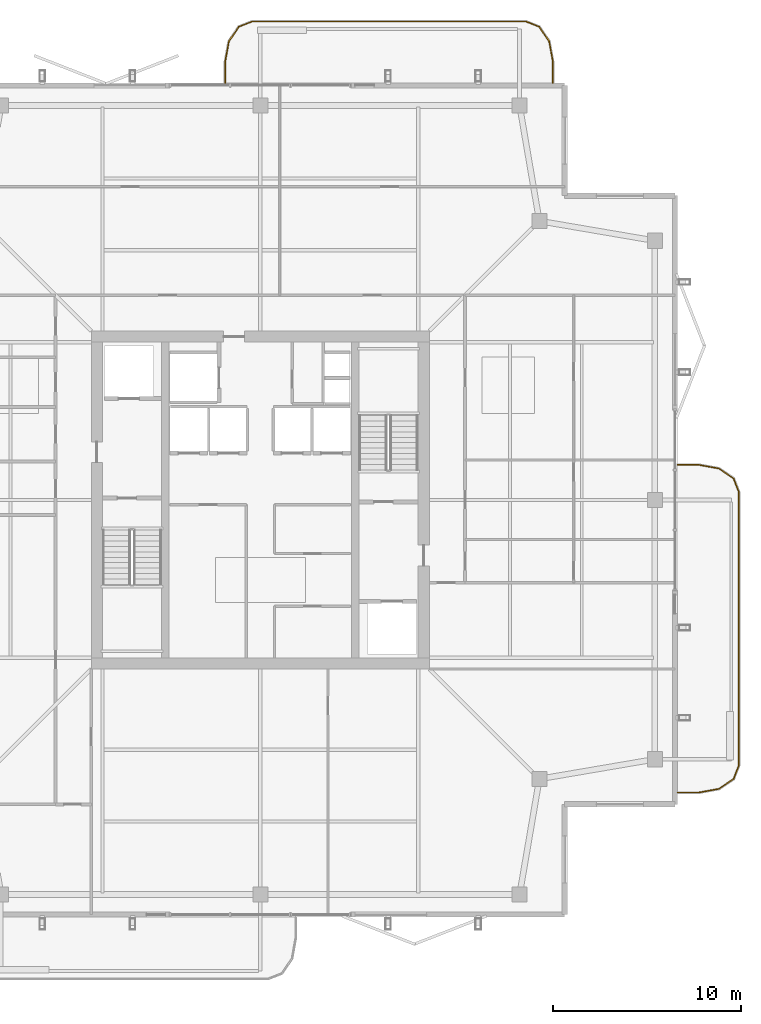
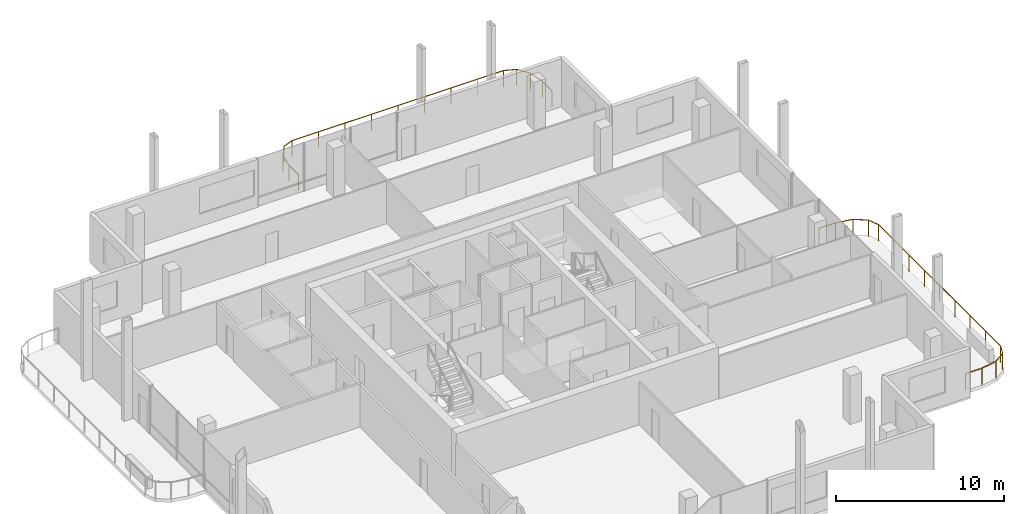
# One storey, part 22 of 22: 2 railings.
"""IFC4 building model written with IfcOpenShell, lengths in metres."""

from ifc_helpers import new_model, si_unit, direction, frame, origin, origin_2d, place, context, subcontext, project, spatial, rectangle, extrude, material, type_object, element, save


model = new_model("IFC4")

# Units and contexts
model_context = context("Model", 3, precision=1e-05, world=origin(), true_north=direction((0.0, 1.0)))
body_context = subcontext(model_context, "Body", "Model", "MODEL_VIEW")
ifc_project = project(units=[si_unit("LENGTHUNIT", "METRE"), si_unit("AREAUNIT", "SQUARE_METRE"), si_unit("VOLUMEUNIT", "CUBIC_METRE"), si_unit("PLANEANGLEUNIT", "RADIAN"), si_unit("MASSUNIT", "GRAM", prefix="KILO")], contexts=[model_context])

# Site, building, storey
site_placement = place(None, origin())
site = spatial("IfcSite", under=ifc_project, at=site_placement, CompositionType="ELEMENT")
building_placement = place(site_placement, origin())
building = spatial("IfcBuilding", under=site, at=building_placement, Name="Belovzor Exchange Tower", CompositionType="ELEMENT")
storey_placement = place(building_placement, frame((0.0, 0.0, 336.75)))
storey = spatial("IfcBuildingStorey", under=building, at=storey_placement, Name="L84", CompositionType="ELEMENT", Elevation=336.75)

# Railings
ifc_material = material(Name="Stainless Steel and Laminated Safety Glass", Category="steel")
railing_type = type_object("IfcRailingType", Name="Laminated Glass & Stainless Steel Balcony Balustrade 1200", PredefinedType="BALUSTRADE", material=ifc_material)
railing_1_placement = place(storey_placement, frame((44.3701171875, 51.010009765625, 0.0)))
element("IfcRailing", 1, at=railing_1_placement, inside=storey, type_object=railing_type, Name="GR-1 Balcony Balustrade L84 North", PredefinedType="BALUSTRADE", context=body_context, shape_type="SweptSolid", body=[
    extrude(rectangle(XDim=0.048095703125, YDim=0.048095703125, at=origin_2d()), frame((0.0, 0.0, 1.17578125), z_axis=(0.0, 1.0, 0.0), x_axis=(-1.0, 0.0, 0.0)), (0.0, 0.0, 1.0), 1.133056640625),
    extrude(rectangle(XDim=0.048095703125, YDim=0.048095703125, at=origin_2d()), frame((0.0, 1.133056640625, 1.17578125), z_axis=(-0.180122719713, 0.983644145941, 0.0), x_axis=(-0.983644145941, -0.180122719713, 0.0)), (0.0, 0.0, 1.0), 1.09375),
    extrude(rectangle(XDim=0.048095703125, YDim=0.048095703125, at=origin_2d()), frame((-0.197021484375, 2.208984375, 1.17578125), z_axis=(-0.56294695933, 0.826493025367, 0.0), x_axis=(-0.826493025367, -0.56294695933, 0.0)), (0.0, 0.0, 1.0), 0.932861328125),
    extrude(rectangle(XDim=0.048095703125, YDim=0.048095703125, at=origin_2d()), frame((-0.72216796875, 2.97998046875, 1.17578125), z_axis=(-0.930766990125, 0.365612923861, 0.0), x_axis=(-0.365612923861, -0.930766990125, 0.0)), (0.0, 0.0, 1.0), 0.765869140625),
    extrude(rectangle(XDim=0.048095703125, YDim=0.048095703125, at=origin_2d()), frame((-1.43505859375, 3.260009765625, 1.17578125), z_axis=(-1.0, 0.0, 0.0), x_axis=(0.0, -1.0, 0.0)), (0.0, 0.0, 1.0), 14.570068359375),
    extrude(rectangle(XDim=0.048095703125, YDim=0.048095703125, at=origin_2d()), frame((-16.005126953125, 3.260009765625, 1.17578125), z_axis=(-0.930766990125, -0.365612923861, 0.0), x_axis=(0.365612923861, -0.930766990125, 0.0)), (0.0, 0.0, 1.0), 0.765869140625),
    extrude(rectangle(XDim=0.048095703125, YDim=0.048095703125, at=origin_2d()), frame((-16.718017578125, 2.97998046875, 1.17578125), z_axis=(-0.56294695933, -0.826493025367, 0.0), x_axis=(0.826493025367, -0.56294695933, 0.0)), (0.0, 0.0, 1.0), 0.932861328125),
    extrude(rectangle(XDim=0.048095703125, YDim=0.048095703125, at=origin_2d()), frame((-17.2431640625, 2.208984375, 1.17578125), z_axis=(-0.180122719713, -0.983644145941, 0.0), x_axis=(0.983644145941, -0.180122719713, 0.0)), (0.0, 0.0, 1.0), 1.09375),
    extrude(rectangle(XDim=0.048095703125, YDim=0.048095703125, at=origin_2d()), frame((-17.440185546875, 1.133056640625, 1.17578125), z_axis=(0.0, -1.0, 0.0), x_axis=(1.0, 0.0, 0.0)), (0.0, 0.0, 1.0), 1.133056640625),
    extrude(rectangle(XDim=0.0419921875, YDim=0.0419921875, at=origin_2d()), origin(), (0.0, 0.0, 1.0), 1.15185546875),
    extrude(rectangle(XDim=0.0419921875, YDim=0.0419921875, at=origin_2d()), frame((0.0, 1.133056640625, 0.0)), (0.0, 0.0, 1.0), 1.15185546875),
    extrude(rectangle(XDim=0.0419921875, YDim=0.0419921875, at=origin_2d()), frame((-0.197021484375, 2.208984375, 0.0)), (0.0, 0.0, 1.0), 1.15185546875),
    extrude(rectangle(XDim=0.0419921875, YDim=0.0419921875, at=origin_2d()), frame((-0.72216796875, 2.97998046875, 0.0)), (0.0, 0.0, 1.0), 1.15185546875),
    extrude(rectangle(XDim=0.0419921875, YDim=0.0419921875, at=origin_2d()), frame((-1.43505859375, 3.260009765625, 0.0)), (0.0, 0.0, 1.0), 1.15185546875),
    extrude(rectangle(XDim=0.0419921875, YDim=0.0419921875, at=origin_2d()), frame((-3.25634765625, 3.260009765625, 0.0)), (0.0, 0.0, 1.0), 1.15185546875),
    extrude(rectangle(XDim=0.0419921875, YDim=0.0419921875, at=origin_2d()), frame((-5.07763671875, 3.260009765625, 0.0)), (0.0, 0.0, 1.0), 1.15185546875),
    extrude(rectangle(XDim=0.0419921875, YDim=0.0419921875, at=origin_2d()), frame((-6.89892578125, 3.260009765625, 0.0)), (0.0, 0.0, 1.0), 1.15185546875),
    extrude(rectangle(XDim=0.0419921875, YDim=0.0419921875, at=origin_2d()), frame((-8.72021484375, 3.260009765625, 0.0)), (0.0, 0.0, 1.0), 1.15185546875),
    extrude(rectangle(XDim=0.0419921875, YDim=0.0419921875, at=origin_2d()), frame((-10.541259765625, 3.260009765625, 0.0)), (0.0, 0.0, 1.0), 1.15185546875),
    extrude(rectangle(XDim=0.0419921875, YDim=0.0419921875, at=origin_2d()), frame((-12.362548828125, 3.260009765625, 0.0)), (0.0, 0.0, 1.0), 1.15185546875),
    extrude(rectangle(XDim=0.0419921875, YDim=0.0419921875, at=origin_2d()), frame((-14.183837890625, 3.260009765625, 0.0)), (0.0, 0.0, 1.0), 1.15185546875),
    extrude(rectangle(XDim=0.0419921875, YDim=0.0419921875, at=origin_2d()), frame((-16.005126953125, 3.260009765625, 0.0)), (0.0, 0.0, 1.0), 1.15185546875),
    extrude(rectangle(XDim=0.0419921875, YDim=0.0419921875, at=origin_2d()), frame((-16.718017578125, 2.97998046875, 0.0)), (0.0, 0.0, 1.0), 1.15185546875),
    extrude(rectangle(XDim=0.0419921875, YDim=0.0419921875, at=origin_2d()), frame((-17.2431640625, 2.208984375, 0.0)), (0.0, 0.0, 1.0), 1.15185546875),
    extrude(rectangle(XDim=0.0419921875, YDim=0.0419921875, at=origin_2d()), frame((-17.440185546875, 1.133056640625, 0.0)), (0.0, 0.0, 1.0), 1.15185546875),
    extrude(rectangle(XDim=0.0419921875, YDim=0.0419921875, at=origin_2d()), frame((-17.440185546875, 0.0, 0.0)), (0.0, 0.0, 1.0), 1.15185546875),
])
railing_2_placement = place(storey_placement, frame((51.010009765625, 13.22998046875, 0.0)))
element("IfcRailing", 2, at=railing_2_placement, inside=storey, type_object=railing_type, Name="GR-1 Balcony Balustrade L84 East", PredefinedType="BALUSTRADE", context=body_context, shape_type="SweptSolid", body=[
    extrude(rectangle(XDim=0.048095703125, YDim=0.048095703125, at=origin_2d()), frame((0.0, 0.0, 1.17578125), z_axis=(1.0, 0.0, 0.0), x_axis=(0.0, 1.0, 0.0)), (0.0, 0.0, 1.0), 1.133056640625),
    extrude(rectangle(XDim=0.048095703125, YDim=0.048095703125, at=origin_2d()), frame((1.133056640625, 0.0, 1.17578125), z_axis=(0.983644145941, 0.180122719713, 0.0), x_axis=(-0.180122719713, 0.983644145941, 0.0)), (0.0, 0.0, 1.0), 1.09375),
    extrude(rectangle(XDim=0.048095703125, YDim=0.048095703125, at=origin_2d()), frame((2.208984375, 0.197021484375, 1.17578125), z_axis=(0.826614792125, 0.562768145367, 0.0), x_axis=(-0.562768145367, 0.826614792125, 0.0)), (0.0, 0.0, 1.0), 0.9326171875),
    extrude(rectangle(XDim=0.048095703125, YDim=0.048095703125, at=origin_2d()), frame((2.97998046875, 0.721923828125, 1.17578125), z_axis=(0.365504480807, 0.930809580156, 0.0), x_axis=(-0.930809580156, 0.365504480807, 0.0)), (0.0, 0.0, 1.0), 0.76611328125),
    extrude(rectangle(XDim=0.048095703125, YDim=0.048095703125, at=origin_2d()), frame((3.260009765625, 1.43505859375, 1.17578125), z_axis=(0.0, 1.0, 0.0), x_axis=(-1.0, 0.0, 0.0)), (0.0, 0.0, 1.0), 14.570068359375),
    extrude(rectangle(XDim=0.048095703125, YDim=0.048095703125, at=origin_2d()), frame((3.260009765625, 16.005126953125, 1.17578125), z_axis=(-0.365612923861, 0.930766990125, 0.0), x_axis=(-0.930766990125, -0.365612923861, 0.0)), (0.0, 0.0, 1.0), 0.765869140625),
    extrude(rectangle(XDim=0.048095703125, YDim=0.048095703125, at=origin_2d()), frame((2.97998046875, 16.718017578125, 1.17578125), z_axis=(-0.826614792125, 0.562768145367, 0.0), x_axis=(-0.562768145367, -0.826614792125, 0.0)), (0.0, 0.0, 1.0), 0.9326171875),
    extrude(rectangle(XDim=0.048095703125, YDim=0.048095703125, at=origin_2d()), frame((2.208984375, 17.242919921875, 1.17578125), z_axis=(-0.983644145941, 0.180122719713, 0.0), x_axis=(-0.180122719713, -0.983644145941, 0.0)), (0.0, 0.0, 1.0), 1.09375),
    extrude(rectangle(XDim=0.048095703125, YDim=0.048095703125, at=origin_2d()), frame((1.133056640625, 17.43994140625, 1.17578125), z_axis=(-1.0, 0.0, 0.0), x_axis=(0.0, -1.0, 0.0)), (0.0, 0.0, 1.0), 1.133056640625),
    extrude(rectangle(XDim=0.0419921875, YDim=0.0419921875, at=origin_2d()), origin(), (0.0, 0.0, 1.0), 1.15185546875),
    extrude(rectangle(XDim=0.0419921875, YDim=0.0419921875, at=origin_2d()), frame((1.133056640625, 0.0, 0.0)), (0.0, 0.0, 1.0), 1.15185546875),
    extrude(rectangle(XDim=0.0419921875, YDim=0.0419921875, at=origin_2d()), frame((2.208984375, 0.197021484375, 0.0)), (0.0, 0.0, 1.0), 1.15185546875),
    extrude(rectangle(XDim=0.0419921875, YDim=0.0419921875, at=origin_2d()), frame((2.97998046875, 0.721923828125, 0.0)), (0.0, 0.0, 1.0), 1.15185546875),
    extrude(rectangle(XDim=0.0419921875, YDim=0.0419921875, at=origin_2d()), frame((3.260009765625, 1.43505859375, 0.0)), (0.0, 0.0, 1.0), 1.15185546875),
    extrude(rectangle(XDim=0.0419921875, YDim=0.0419921875, at=origin_2d()), frame((3.260009765625, 3.25634765625, 0.0)), (0.0, 0.0, 1.0), 1.15185546875),
    extrude(rectangle(XDim=0.0419921875, YDim=0.0419921875, at=origin_2d()), frame((3.260009765625, 5.07763671875, 0.0)), (0.0, 0.0, 1.0), 1.15185546875),
    extrude(rectangle(XDim=0.0419921875, YDim=0.0419921875, at=origin_2d()), frame((3.260009765625, 6.89892578125, 0.0)), (0.0, 0.0, 1.0), 1.15185546875),
    extrude(rectangle(XDim=0.0419921875, YDim=0.0419921875, at=origin_2d()), frame((3.260009765625, 8.72021484375, 0.0)), (0.0, 0.0, 1.0), 1.15185546875),
    extrude(rectangle(XDim=0.0419921875, YDim=0.0419921875, at=origin_2d()), frame((3.260009765625, 10.541259765625, 0.0)), (0.0, 0.0, 1.0), 1.15185546875),
    extrude(rectangle(XDim=0.0419921875, YDim=0.0419921875, at=origin_2d()), frame((3.260009765625, 12.362548828125, 0.0)), (0.0, 0.0, 1.0), 1.15185546875),
    extrude(rectangle(XDim=0.0419921875, YDim=0.0419921875, at=origin_2d()), frame((3.260009765625, 14.183837890625, 0.0)), (0.0, 0.0, 1.0), 1.15185546875),
    extrude(rectangle(XDim=0.0419921875, YDim=0.0419921875, at=origin_2d()), frame((3.260009765625, 16.005126953125, 0.0)), (0.0, 0.0, 1.0), 1.15185546875),
    extrude(rectangle(XDim=0.0419921875, YDim=0.0419921875, at=origin_2d()), frame((2.97998046875, 16.718017578125, 0.0)), (0.0, 0.0, 1.0), 1.15185546875),
    extrude(rectangle(XDim=0.0419921875, YDim=0.0419921875, at=origin_2d()), frame((2.208984375, 17.242919921875, 0.0)), (0.0, 0.0, 1.0), 1.15185546875),
    extrude(rectangle(XDim=0.0419921875, YDim=0.0419921875, at=origin_2d()), frame((1.133056640625, 17.43994140625, 0.0)), (0.0, 0.0, 1.0), 1.15185546875),
    extrude(rectangle(XDim=0.0419921875, YDim=0.0419921875, at=origin_2d()), frame((0.0, 17.43994140625, 0.0)), (0.0, 0.0, 1.0), 1.15185546875),
])

save(model, "model.ifc")
